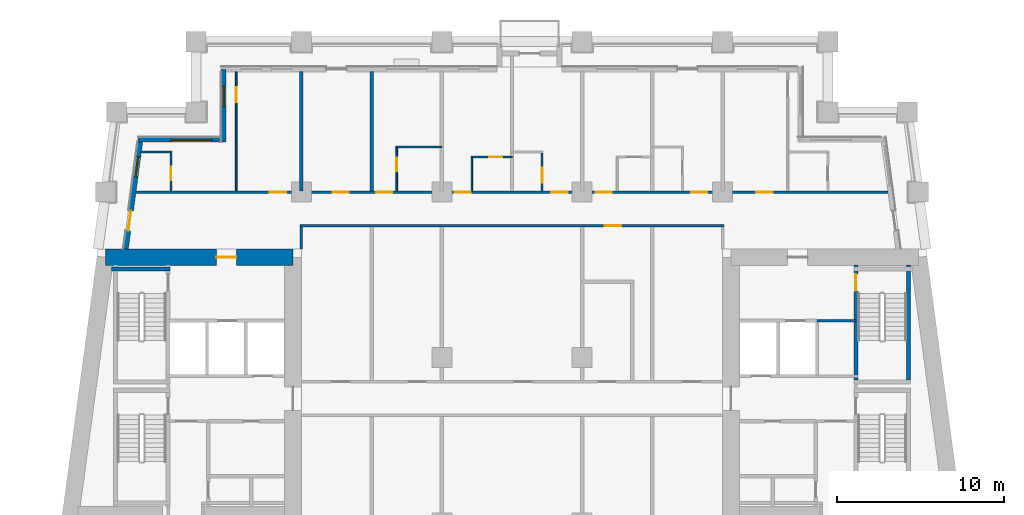
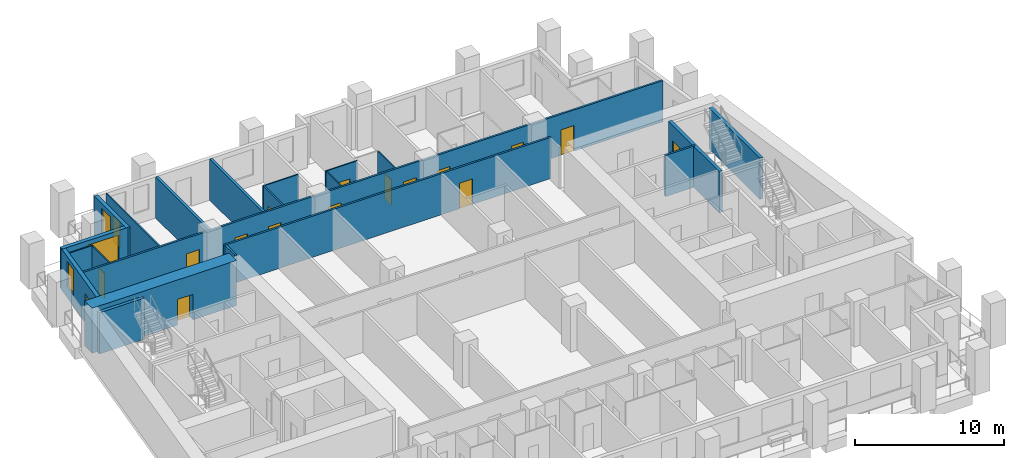
# One storey, part 7 of 14: 21 walls, 17 doors, 3 windows, 20 openings.
"""IFC4 building model written with IfcOpenShell, lengths in metres."""

import ifcopenshell
import ifcopenshell.guid

model = None  # the IFC model being written
_history = None  # IfcOwnerHistory: only IFC2X3 demands one
_inside = {}  # id of a spatial element -> (the spatial element, [elements in it])
_under = {}  # id of a project, library or spatial element -> (it, [spatial elements below it])
_declared = {}  # id of a project -> (the project, [libraries it declares])
_typed = {}  # id of a type object -> (the type object, [elements of that type])
_made_of = {}  # id of a material, layer set ... -> (it, [elements and type objects made of it])


def new_model(schema):
    """Start an empty IFC model of exactly this schema.

    Asked for "IFC4X3", IfcOpenShell would pick the latest addendum, in which some entities
    have other attributes; the version numbers below select the first issue.
    IFC2X3 requires an IfcOwnerHistory on every rooted entity: one is made here for all.
    """
    global model, _history
    if schema == "IFC4X3":
        model = ifcopenshell.file(schema_version=(4, 3, 0, 0))
    else:
        model = ifcopenshell.file(schema=schema)
    _inside.clear()
    _under.clear()
    _declared.clear()
    _typed.clear()
    _made_of.clear()
    _history = None
    if model.schema == "IFC2X3":
        org = make("IfcOrganization", Name="unknown")
        user = make(
            "IfcPersonAndOrganization",
            ThePerson=make("IfcPerson", FamilyName="unknown"),
            TheOrganization=org,
        )
        app = make(
            "IfcApplication",
            ApplicationDeveloper=org,
            Version="unknown",
            ApplicationFullName="unknown",
            ApplicationIdentifier="unknown",
        )
        _history = make(
            "IfcOwnerHistory",
            OwningUser=user,
            OwningApplication=app,
            ChangeAction="ADDED",
            CreationDate=0,
        )
    return model


def make(cls, **values):
    """One entity of the class cls with the attributes given. An attribute that is None is left unset."""
    return model.create_entity(
        cls, **{name: value for name, value in values.items() if value is not None}
    )


def rooted(cls, **values):
    """An entity with a GlobalId (a new one), such as an element, a storey or a relation."""
    return make(cls, GlobalId=ifcopenshell.guid.new(), OwnerHistory=_history, **values)


def si_unit(unit_type, name, prefix=None):
    """IfcSIUnit, for example si_unit("LENGTHUNIT", "METRE", prefix="MILLI")."""
    return make("IfcSIUnit", UnitType=unit_type, Prefix=prefix, Name=name)


def assignment(units):
    """IfcUnitAssignment: the units of a project."""
    return None if units is None else make("IfcUnitAssignment", Units=units)


def point(xyz):
    """IfcCartesianPoint."""
    return None if xyz is None else make("IfcCartesianPoint", Coordinates=xyz)


def direction(xyz):
    """IfcDirection."""
    return None if xyz is None else make("IfcDirection", DirectionRatios=xyz)


def frame(location, z_axis=None, x_axis=None):
    """IfcAxis2Placement3D, a coordinate frame: its origin and axes. An axis left out is left unset."""
    return make(
        "IfcAxis2Placement3D",
        Location=point(location),
        Axis=direction(z_axis),
        RefDirection=direction(x_axis),
    )


def frame_2d(location, x_axis=None):
    """IfcAxis2Placement2D, a coordinate frame in the plane: its origin and x axis."""
    return make(
        "IfcAxis2Placement2D", Location=point(location), RefDirection=direction(x_axis)
    )


def origin():
    """The frame at (0, 0, 0) with its axes left unset."""
    return frame((0.0, 0.0, 0.0))


def place(relative_to, where):
    """IfcLocalPlacement: puts the frame where relative to a parent placement (None: the world)."""
    return make(
        "IfcLocalPlacement", PlacementRelTo=relative_to, RelativePlacement=where
    )


def context(
    kind, dimensions, precision=None, world=None, true_north=None, identifier=None
):
    """IfcGeometricRepresentationContext, for example the 3D "Model" context."""
    return make(
        "IfcGeometricRepresentationContext",
        ContextIdentifier=identifier,
        ContextType=kind,
        CoordinateSpaceDimension=dimensions,
        Precision=precision,
        WorldCoordinateSystem=world,
        TrueNorth=true_north,
    )


def subcontext(parent, identifier, kind, view, scale=None):
    """IfcGeometricRepresentationSubContext, for example "Body" below "Model"."""
    return make(
        "IfcGeometricRepresentationSubContext",
        ContextIdentifier=identifier,
        ContextType=kind,
        ParentContext=parent,
        TargetScale=scale,
        TargetView=view,
    )


def project(units=None, contexts=None):
    """IfcProject with its units and contexts."""
    return rooted(
        "IfcProject",
        Name="project",
        RepresentationContexts=contexts,
        UnitsInContext=assignment(units),
    )


def spatial(cls, under=None, at=None, **own):
    """A site, building, storey or space (cls), placed at a placement, below another one or the project."""
    s = rooted(cls, ObjectPlacement=at, **own)
    if under is not None:
        _under.setdefault(under.id(), (under, []))[1].append(s)
    return s


def profile(cls, at=None, kind="AREA", **sizes):
    """A parametric profile (cls). Its sizes go by their IFC names, for example OverallWidth=200.0."""
    return make(cls, ProfileType=kind, Position=at, **sizes)


def rectangle(**sizes):
    """IfcRectangleProfileDef."""
    return profile("IfcRectangleProfileDef", **sizes)


def extrude(swept, where, along, depth):
    """IfcExtrudedAreaSolid: the profile swept, set in the frame where, extruded along a direction by depth."""
    return make(
        "IfcExtrudedAreaSolid",
        SweptArea=swept,
        Position=where,
        ExtrudedDirection=direction(along),
        Depth=depth,
    )


def shape(context_of_items, identifier, shape_type, items):
    """IfcShapeRepresentation: the items that make up one representation, for example the "Body"."""
    return make(
        "IfcShapeRepresentation",
        ContextOfItems=context_of_items,
        RepresentationIdentifier=identifier,
        RepresentationType=shape_type,
        Items=items,
    )


def material(Name=None, Category=None):
    """IfcMaterial."""
    return make("IfcMaterial", Name=Name, Category=Category)


def layer(
    of_material, thickness, ventilated=None, Name=None, Category=None, Priority=None
):
    """IfcMaterialLayer: one layer of a wall or slab, of a material (None: an air gap)."""
    return make(
        "IfcMaterialLayer",
        Material=of_material,
        LayerThickness=thickness,
        IsVentilated=ventilated,
        Name=Name,
        Category=Category,
        Priority=Priority,
    )


def layer_set(layers, Name=None):
    """IfcMaterialLayerSet."""
    return make("IfcMaterialLayerSet", MaterialLayers=layers, LayerSetName=Name)


def made_of(thing, what):
    """Note that an element or type object is made of a material, layer set ...; save() writes the relation."""
    if what is not None:
        _made_of.setdefault(what.id(), (what, []))[1].append(thing)
    return thing


def type_object(cls, material=None, **own):
    """A type object (cls), such as IfcWallType, which elements share."""
    return made_of(rooted(cls, **own), material)


def element(
    cls,
    number,
    at=None,
    inside=None,
    cuts=None,
    type_object=None,
    material=None,
    context=None,
    identifier="Body",
    shape_type=None,
    held_by="IfcProductDefinitionShape",
    body=None,
    shapes=None,
    **own,
):
    """One element of the class cls, such as IfcWall. Its Tag is "e" and its number.

    at: its placement. inside: the storey or other place that contains it. cuts: it is an
    opening in that element (IfcRelVoidsElement). A single representation is given by context,
    identifier, shape_type and body (its items); several are given by shapes. held_by: the class
    of the entity that holds the representations. save() writes the other relations.
    """
    e = rooted(cls, Tag="e%d" % number, ObjectPlacement=at, **own)
    if body is not None:
        shapes = [shape(context, identifier, shape_type, body)]
    if shapes is not None:
        e.Representation = make(held_by, Representations=shapes)
    if inside is not None:
        _inside.setdefault(inside.id(), (inside, []))[1].append(e)
    if cuts is not None:
        rooted(
            "IfcRelVoidsElement", RelatingBuildingElement=cuts, RelatedOpeningElement=e
        )
    if type_object is not None:
        _typed.setdefault(type_object.id(), (type_object, []))[1].append(e)
    return made_of(e, material)


def fill(opening, filler):
    """IfcRelFillsElement: the door or window that sits in an opening."""
    return rooted(
        "IfcRelFillsElement",
        RelatingOpeningElement=opening,
        RelatedBuildingElement=filler,
    )


def aggregate(whole, parts):
    """IfcRelAggregates: a whole, such as a stair, and the parts it consists of."""
    return rooted("IfcRelAggregates", RelatingObject=whole, RelatedObjects=parts)


def save(model, path):
    """Write the relations noted so far, then the file.

    IfcRelAggregates (storeys below a building ...), IfcRelContainedInSpatialStructure (elements
    in a storey), IfcRelDefinesByType, IfcRelAssociatesMaterial and IfcRelDeclares: one each for
    every whole, place, type object, material and project.
    """
    for whole, parts in _under.values():
        aggregate(whole, parts)
    for where, things in _inside.values():
        rooted(
            "IfcRelContainedInSpatialStructure",
            RelatedElements=things,
            RelatingStructure=where,
        )
    for kind, things in _typed.values():
        rooted("IfcRelDefinesByType", RelatedObjects=things, RelatingType=kind)
    for what, things in _made_of.values():
        rooted("IfcRelAssociatesMaterial", RelatedObjects=things, RelatingMaterial=what)
    for by, libraries in _declared.values():
        rooted("IfcRelDeclares", RelatingContext=by, RelatedDefinitions=libraries)
    model.write(path)


model = new_model("IFC4")

# Units and contexts
model_context = context("Model", 3, precision=1e-05, world=origin(), true_north=direction((0.0, 1.0)))
body_context = subcontext(model_context, "Body", "Model", "MODEL_VIEW")
ifc_project = project(units=[si_unit("LENGTHUNIT", "METRE"), si_unit("AREAUNIT", "SQUARE_METRE"), si_unit("VOLUMEUNIT", "CUBIC_METRE"), si_unit("PLANEANGLEUNIT", "RADIAN"), si_unit("MASSUNIT", "GRAM", prefix="KILO")], contexts=[model_context])

# Site, building, storey
site_placement = place(None, origin())
site = spatial("IfcSite", under=ifc_project, at=site_placement, CompositionType="ELEMENT")
building_placement = place(site_placement, origin())
building = spatial("IfcBuilding", under=site, at=building_placement, Name="Candeia Pilgrim Tower and Theatre", CompositionType="ELEMENT")
storey_placement = place(building_placement, frame((0.0, 0.0, 116.89990234375)))
storey = spatial("IfcBuildingStorey", under=building, at=storey_placement, Name="L27", CompositionType="ELEMENT", Elevation=116.89990234375)

# Wall, opening, door
ifc_material_1 = material(Name="Concrete C70/85", Category="concrete")
ifc_layer_1 = layer(ifc_material_1, 1.0)
ifc_layer_set_1 = layer_set([ifc_layer_1], Name="Core wall 1000 C70/85")
wall_type_1 = type_object("IfcWallType", Name="Core wall 1000 C70/85", PredefinedType="SHEAR", material=ifc_layer_set_1)
wall_1_placement = place(storey_placement, frame((89.06787109375, 131.89990234375, 0.0), z_axis=(0.0, 0.0, 1.0), x_axis=(1.0, 0.0, 0.0)))
wall_1 = element("IfcWall", 1, at=wall_1_placement, inside=storey, type_object=wall_type_1, Name="Core wall W1", PredefinedType="SHEAR", context=body_context, shape_type="SweptSolid", body=[
    extrude(rectangle(XDim=11.232177734375, YDim=1.0, at=frame_2d((5.6162109375, 0.0))), origin(), (0.0, 0.0, 1.0), 3.7001953125),
])
opening_1_placement = place(wall_1_placement, frame((6.6455078125, 0.0, 0.0)))
opening_1 = element("IfcOpeningElement", 2, at=opening_1_placement, cuts=wall_1, Name="Opening L27-D067", PredefinedType="OPENING", context=body_context, shape_type="SweptSolid", body=[
    extrude(rectangle(XDim=1.199951171875, YDim=2.10009765625, at=frame_2d((0.60009765625, 1.050048828125))), frame((0.0, 0.510009765625, 0.0), z_axis=(0.0, -1.0, 0.0), x_axis=(1.0, 0.0, 0.0)), (0.0, 0.0, 1.0), 1.02001953125),
])
ifc_material_2 = material(Name="Steel fire door set", Category="steel")
door_type_1 = type_object("IfcDoorType", Name="D-1200-FD60", OperationType="NOTDEFINED", PredefinedType="DOOR", material=ifc_material_2)
door_1_placement = place(opening_1_placement, origin())
door_1 = element("IfcDoor", 3, at=door_1_placement, inside=storey, type_object=door_type_1, Name="Door L27-D067", OperationType="SINGLE_SWING_RIGHT", OverallHeight=2.10009765625, OverallWidth=1.199951171875, PredefinedType="DOOR", context=body_context, shape_type="SweptSolid", body=[
    extrude(rectangle(XDim=1.199951171875, YDim=2.10009765625, at=frame_2d((0.60009765625, 1.050048828125))), frame((0.0, 0.02490234375, 0.0), z_axis=(0.0, -1.0, 0.0), x_axis=(1.0, 0.0, 0.0)), (0.0, 0.0, 1.0), 0.050048828125),
])
fill(opening_1, door_1)

# Wall, opening, window
ifc_material_3 = material(Name="Ceramic block masonry", Category="masonry")
ifc_layer_2 = layer(ifc_material_3, 0.300048828125)
ifc_layer_set_2 = layer_set([ifc_layer_2], Name="EW1 glazing-line wall 300")
wall_type_2 = type_object("IfcWallType", Name="EW1 glazing-line wall 300", PredefinedType="SOLIDWALL", material=ifc_layer_set_2)
wall_2_placement = place(storey_placement, frame((96.14990234375, 143.14990234375, 0.0), z_axis=(0.0, 0.0, 1.0), x_axis=(0.0, -1.0, 0.0)))
wall_2 = element("IfcWall", 4, at=wall_2_placement, inside=storey, type_object=wall_type_2, Name="External wall L27-7.0", PredefinedType="SOLIDWALL", context=body_context, shape_type="SweptSolid", body=[
    extrude(rectangle(XDim=4.349853515625, YDim=0.300048828125, at=frame_2d((2.1748046875, 0.0))), origin(), (0.0, 0.0, 1.0), 3.380126953125),
])
opening_2_placement = place(wall_2_placement, frame((1.02490234375, 0.0, 0.89990234375)))
opening_2 = element("IfcOpeningElement", 5, at=opening_2_placement, cuts=wall_2, Name="Opening W-B", PredefinedType="OPENING", context=body_context, shape_type="SweptSolid", body=[
    extrude(rectangle(XDim=1.199951171875, YDim=2.10009765625, at=frame_2d((0.60009765625, 1.050048828125))), frame((0.0, 0.16015625, 0.0), z_axis=(0.0, -1.0, 0.0), x_axis=(1.0, 0.0, 0.0)), (0.0, 0.0, 1.0), 0.320068359375),
])
ifc_material_4 = material(Name="Aluminium framed double glazing", Category="aluminium")
window_type_1 = type_object("IfcWindowType", Name="W-B window 1200x2100", PartitioningType="SINGLE_PANEL", PredefinedType="WINDOW", material=ifc_material_4)
window_1_placement = place(opening_2_placement, origin())
window_1 = element("IfcWindow", 6, at=window_1_placement, inside=storey, type_object=window_type_1, Name="Window W-B L27", OverallHeight=2.10009765625, OverallWidth=1.199951171875, PartitioningType="SINGLE_PANEL", PredefinedType="WINDOW", context=body_context, shape_type="SweptSolid", body=[
    extrude(rectangle(XDim=1.199951171875, YDim=2.10009765625, at=frame_2d((0.60009765625, 1.050048828125))), frame((0.0, 0.030029296875, 0.0), z_axis=(0.0, -1.0, 0.0), x_axis=(1.0, 0.0, 0.0)), (0.0, 0.0, 1.0), 0.06005859375),
])
fill(opening_2, window_1)

wall_3_placement = place(storey_placement, frame((96.14990234375, 138.949951171875, 0.0), z_axis=(0.0, 0.0, 1.0), x_axis=(-1.0, 0.0, 0.0)))
wall_3 = element("IfcWall", 7, at=wall_3_placement, inside=storey, type_object=wall_type_2, Name="External wall L27-8.0", PredefinedType="SOLIDWALL", context=body_context, shape_type="SweptSolid", body=[
    extrude(rectangle(XDim=5.103759765625, YDim=0.300048828125, at=frame_2d((2.5517578125, 0.0))), origin(), (0.0, 0.0, 1.0), 3.380126953125),
])
opening_3_placement = place(wall_3_placement, frame((0.72509765625, 0.0, 0.89990234375)))
opening_3 = element("IfcOpeningElement", 8, at=opening_3_placement, cuts=wall_3, Name="Opening W-A", PredefinedType="OPENING", context=body_context, shape_type="SweptSolid", body=[
    extrude(rectangle(XDim=2.39990234375, YDim=2.10009765625, at=frame_2d((1.199951171875, 1.050048828125))), frame((0.0, 0.16015625, 0.0), z_axis=(0.0, -1.0, 0.0), x_axis=(1.0, 0.0, 0.0)), (0.0, 0.0, 1.0), 0.320068359375),
])
window_type_2 = type_object("IfcWindowType", Name="W-A window 2400x2100", PartitioningType="DOUBLE_PANEL_VERTICAL", PredefinedType="WINDOW", material=ifc_material_4)
window_2_placement = place(opening_3_placement, origin())
window_2 = element("IfcWindow", 9, at=window_2_placement, inside=storey, type_object=window_type_2, Name="Window W-A L27", OverallHeight=2.10009765625, OverallWidth=2.39990234375, PartitioningType="SINGLE_PANEL", PredefinedType="WINDOW", context=body_context, shape_type="SweptSolid", body=[
    extrude(rectangle(XDim=2.39990234375, YDim=2.10009765625, at=frame_2d((1.199951171875, 1.050048828125))), frame((0.0, 0.030029296875, 0.0), z_axis=(0.0, -1.0, 0.0), x_axis=(1.0, 0.0, 0.0)), (0.0, 0.0, 1.0), 0.06005859375),
])
fill(opening_3, window_2)

# Wall, openings, door, window
wall_4_placement = place(storey_placement, frame((91.177490234375, 138.949951171875, 0.0), z_axis=(0.0, 0.0, 1.0), x_axis=(-0.133426664613, -0.991058689065, 0.0)))
wall_4 = element("IfcWall", 10, at=wall_4_placement, inside=storey, type_object=wall_type_2, Name="External wall L27-9.0", PredefinedType="SOLIDWALL", context=body_context, shape_type="SweptSolid", body=[
    extrude(rectangle(XDim=6.609130859375, YDim=0.300048828125, at=frame_2d((3.3046875, 0.0))), origin(), (0.0, 0.0, 1.0), 3.380126953125),
])
opening_4_placement = place(wall_4_placement, frame((1.039306640625, 0.0, 0.89990234375)))
opening_4 = element("IfcOpeningElement", 11, at=opening_4_placement, cuts=wall_4, Name="Opening W-B", PredefinedType="OPENING", context=body_context, shape_type="SweptSolid", body=[
    extrude(rectangle(XDim=1.199951171875, YDim=2.10009765625, at=frame_2d((0.60009765625, 1.050048828125))), frame((0.0, 0.16015625, 0.0), z_axis=(0.0, -1.0, 0.0), x_axis=(1.0, 0.0, 0.0)), (0.0, 0.0, 1.0), 0.320068359375),
])
opening_5_placement = place(wall_4_placement, frame((4.293701171875, 0.0, 0.0)))
opening_5 = element("IfcOpeningElement", 12, at=opening_5_placement, cuts=wall_4, Name="Opening L27-ED278", PredefinedType="OPENING", context=body_context, shape_type="SweptSolid", body=[
    extrude(rectangle(XDim=1.199951171875, YDim=2.39990234375, at=frame_2d((0.60009765625, 1.199951171875))), frame((0.0, 0.16015625, 0.0), z_axis=(0.0, -1.0, 0.0), x_axis=(1.0, 0.0, 0.0)), (0.0, 0.0, 1.0), 0.320068359375),
])
ifc_material_5 = material(Name="Aluminium framed glazed door", Category="aluminium")
door_type_2 = type_object("IfcDoorType", Name="Loggia door 1200x2400", OperationType="DOUBLE_DOOR_SINGLE_SWING", PredefinedType="DOOR", material=ifc_material_5)
door_2_placement = place(opening_5_placement, origin())
door_2 = element("IfcDoor", 13, at=door_2_placement, inside=storey, type_object=door_type_2, Name="Loggia door L27-ED278", OperationType="DOUBLE_DOOR_SINGLE_SWING", OverallHeight=2.39990234375, OverallWidth=1.199951171875, PredefinedType="DOOR", context=body_context, shape_type="SweptSolid", body=[
    extrude(rectangle(XDim=1.199951171875, YDim=2.39990234375, at=frame_2d((0.60009765625, 1.199951171875))), frame((0.0, 0.02490234375, 0.0), z_axis=(0.0, -1.0, 0.0), x_axis=(1.0, 0.0, 0.0)), (0.0, 0.0, 1.0), 0.050048828125),
])
fill(opening_5, door_2)
window_3_placement = place(opening_4_placement, origin())
window_3 = element("IfcWindow", 14, at=window_3_placement, inside=storey, type_object=window_type_1, Name="Window W-B L27", OverallHeight=2.10009765625, OverallWidth=1.199951171875, PartitioningType="SINGLE_PANEL", PredefinedType="WINDOW", context=body_context, shape_type="SweptSolid", body=[
    extrude(rectangle(XDim=1.199951171875, YDim=2.10009765625, at=frame_2d((0.60009765625, 1.050048828125))), frame((0.0, 0.030029296875, 0.0), z_axis=(0.0, -1.0, 0.0), x_axis=(1.0, 0.0, 0.0)), (0.0, 0.0, 1.0), 0.06005859375),
])
fill(opening_4, window_3)

# Wall, opening, door
ifc_material_6 = material(Name="Gypsum board partition on steel studs", Category="steel")
ifc_layer_3 = layer(ifc_material_6, 0.10009765625)
ifc_layer_set_3 = layer_set([ifc_layer_3], Name="PW-100 room partition")
wall_type_3 = type_object("IfcWallType", Name="PW-100 room partition", PredefinedType="PARTITIONING", material=ifc_layer_set_3)
wall_5_placement = place(storey_placement, frame((110.949951171875, 137.89990234375, 0.0), z_axis=(0.0, 0.0, 1.0), x_axis=(1.0, 0.0, 0.0)))
wall_5 = element("IfcWall", 15, at=wall_5_placement, inside=storey, type_object=wall_type_3, Name="Room partition L27-047", PredefinedType="PARTITIONING", context=body_context, shape_type="SweptSolid", body=[
    extrude(rectangle(XDim=2.449951171875, YDim=0.10009765625, at=frame_2d((1.22509765625, 0.0))), origin(), (0.0, 0.0, 1.0), 3.380126953125),
])
opening_6_placement = place(wall_5_placement, frame((1.074951171875, 0.0, 0.0)))
opening_6 = element("IfcOpeningElement", 16, at=opening_6_placement, cuts=wall_5, Name="Opening L27-D045", PredefinedType="OPENING", context=body_context, shape_type="SweptSolid", body=[
    extrude(rectangle(XDim=0.800048828125, YDim=2.10009765625, at=frame_2d((0.39990234375, 1.050048828125))), frame((0.0, 0.06005859375, 0.0), z_axis=(0.0, -1.0, 0.0), x_axis=(1.0, 0.0, 0.0)), (0.0, 0.0, 1.0), 0.1201171875),
])
ifc_material_7 = material(Name="Timber door leaf", Category="wood")
door_type_3 = type_object("IfcDoorType", Name="D-800", OperationType="NOTDEFINED", PredefinedType="DOOR", material=ifc_material_7)
door_3_placement = place(opening_6_placement, origin())
door_3 = element("IfcDoor", 17, at=door_3_placement, inside=storey, type_object=door_type_3, Name="Door L27-D045", OperationType="SINGLE_SWING_RIGHT", OverallHeight=2.10009765625, OverallWidth=0.800048828125, PredefinedType="DOOR", context=body_context, shape_type="SweptSolid", body=[
    extrude(rectangle(XDim=0.800048828125, YDim=2.10009765625, at=frame_2d((0.39990234375, 1.050048828125))), frame((0.0, 0.02490234375, 0.0), z_axis=(0.0, -1.0, 0.0), x_axis=(1.0, 0.0, 0.0)), (0.0, 0.0, 1.0), 0.050048828125),
])
fill(opening_6, door_3)

# Walls
wall_6_placement = place(storey_placement, frame((91.2177734375, 138.199951171875, 0.0), z_axis=(0.0, 0.0, 1.0), x_axis=(1.0, 0.0, 0.0)))
element("IfcWall", 18, at=wall_6_placement, inside=storey, type_object=wall_type_3, Name="Room partition L27-049", PredefinedType="PARTITIONING", context=body_context, shape_type="SweptSolid", body=[
    extrude(rectangle(XDim=1.832275390625, YDim=0.10009765625, at=frame_2d((0.916015625, 0.0))), origin(), (0.0, 0.0, 1.0), 3.380126953125),
])
wall_7_placement = place(storey_placement, frame((106.449951171875, 138.5, 0.0), z_axis=(0.0, 0.0, 1.0), x_axis=(1.0, 0.0, 0.0)))
element("IfcWall", 19, at=wall_7_placement, inside=storey, type_object=wall_type_3, Name="Room partition L27-052", PredefinedType="PARTITIONING", context=body_context, shape_type="SweptSolid", body=[
    extrude(rectangle(XDim=2.75, YDim=0.10009765625, at=frame_2d((1.375, 0.0))), origin(), (0.0, 0.0, 1.0), 3.380126953125),
])

# Wall, opening, door
wall_8_placement = place(storey_placement, frame((93.0, 135.875, 0.0), z_axis=(0.0, 0.0, 1.0), x_axis=(0.0, 1.0, 0.0)))
wall_8 = element("IfcWall", 20, at=wall_8_placement, inside=storey, type_object=wall_type_3, Name="Room partition L27-065", PredefinedType="PARTITIONING", context=body_context, shape_type="SweptSolid", body=[
    extrude(rectangle(XDim=2.27490234375, YDim=0.10009765625, at=frame_2d((1.137451171875, 0.0))), origin(), (0.0, 0.0, 1.0), 3.380126953125),
])
opening_7_placement = place(wall_8_placement, frame((0.635009765625, 0.0, 0.0)))
opening_7 = element("IfcOpeningElement", 21, at=opening_7_placement, cuts=wall_8, Name="Opening L27-D040", PredefinedType="OPENING", context=body_context, shape_type="SweptSolid", body=[
    extrude(rectangle(XDim=0.800048828125, YDim=2.10009765625, at=frame_2d((0.39990234375, 1.050048828125))), frame((0.0, 0.06005859375, 0.0), z_axis=(0.0, -1.0, 0.0), x_axis=(1.0, 0.0, 0.0)), (0.0, 0.0, 1.0), 0.1201171875),
])
door_4_placement = place(opening_7_placement, origin())
door_4 = element("IfcDoor", 22, at=door_4_placement, inside=storey, type_object=door_type_3, Name="Door L27-D040", OperationType="SINGLE_SWING_LEFT", OverallHeight=2.10009765625, OverallWidth=0.800048828125, PredefinedType="DOOR", context=body_context, shape_type="SweptSolid", body=[
    extrude(rectangle(XDim=0.800048828125, YDim=2.10009765625, at=frame_2d((0.39990234375, 1.050048828125))), frame((0.0, 0.02490234375, 0.0), z_axis=(0.0, -1.0, 0.0), x_axis=(1.0, 0.0, 0.0)), (0.0, 0.0, 1.0), 0.050048828125),
])
fill(opening_7, door_4)

wall_9_placement = place(storey_placement, frame((96.89990234375, 135.875, 0.0), z_axis=(0.0, 0.0, 1.0), x_axis=(0.0, 1.0, 0.0)))
wall_9 = element("IfcWall", 23, at=wall_9_placement, inside=storey, type_object=wall_type_3, Name="Room partition L27-072", PredefinedType="PARTITIONING", context=body_context, shape_type="SweptSolid", body=[
    extrude(rectangle(XDim=7.135009765625, YDim=0.10009765625, at=frame_2d((3.5673828125, 0.0))), origin(), (0.0, 0.0, 1.0), 3.380126953125),
])
opening_8_placement = place(wall_9_placement, frame((5.2900390625, 0.0, 0.0)))
opening_8 = element("IfcOpeningElement", 24, at=opening_8_placement, cuts=wall_9, Name="Opening L27-D039", PredefinedType="OPENING", context=body_context, shape_type="SweptSolid", body=[
    extrude(rectangle(XDim=0.89990234375, YDim=2.10009765625, at=frame_2d((0.449951171875, 1.050048828125))), frame((0.0, 0.06005859375, 0.0), z_axis=(0.0, -1.0, 0.0), x_axis=(1.0, 0.0, 0.0)), (0.0, 0.0, 1.0), 0.1201171875),
])
door_type_4 = type_object("IfcDoorType", Name="D-900", OperationType="NOTDEFINED", PredefinedType="DOOR", material=ifc_material_7)
door_5_placement = place(opening_8_placement, origin())
door_5 = element("IfcDoor", 25, at=door_5_placement, inside=storey, type_object=door_type_4, Name="Door L27-D039", OperationType="SINGLE_SWING_RIGHT", OverallHeight=2.10009765625, OverallWidth=0.89990234375, PredefinedType="DOOR", context=body_context, shape_type="SweptSolid", body=[
    extrude(rectangle(XDim=0.89990234375, YDim=2.10009765625, at=frame_2d((0.449951171875, 1.050048828125))), frame((0.0, 0.02490234375, 0.0), z_axis=(0.0, -1.0, 0.0), x_axis=(1.0, 0.0, 0.0)), (0.0, 0.0, 1.0), 0.050048828125),
])
fill(opening_8, door_5)

wall_10_placement = place(storey_placement, frame((106.5, 135.875, 0.0), z_axis=(0.0, 0.0, 1.0), x_axis=(0.0, 1.0, 0.0)))
wall_10 = element("IfcWall", 26, at=wall_10_placement, inside=storey, type_object=wall_type_3, Name="Room partition L27-087", PredefinedType="PARTITIONING", context=body_context, shape_type="SweptSolid", body=[
    extrude(rectangle(XDim=2.574951171875, YDim=0.10009765625, at=frame_2d((1.28759765625, 0.0))), origin(), (0.0, 0.0, 1.0), 3.380126953125),
])
opening_9_placement = place(wall_10_placement, frame((1.175048828125, 0.0, 0.0)))
opening_9 = element("IfcOpeningElement", 27, at=opening_9_placement, cuts=wall_10, Name="Opening L27-D043", PredefinedType="OPENING", context=body_context, shape_type="SweptSolid", body=[
    extrude(rectangle(XDim=0.800048828125, YDim=2.10009765625, at=frame_2d((0.39990234375, 1.050048828125))), frame((0.0, 0.06005859375, 0.0), z_axis=(0.0, -1.0, 0.0), x_axis=(1.0, 0.0, 0.0)), (0.0, 0.0, 1.0), 0.1201171875),
])
door_6_placement = place(opening_9_placement, origin())
door_6 = element("IfcDoor", 28, at=door_6_placement, inside=storey, type_object=door_type_3, Name="Door L27-D043", OperationType="SINGLE_SWING_RIGHT", OverallHeight=2.10009765625, OverallWidth=0.800048828125, PredefinedType="DOOR", context=body_context, shape_type="SweptSolid", body=[
    extrude(rectangle(XDim=0.800048828125, YDim=2.10009765625, at=frame_2d((0.39990234375, 1.050048828125))), frame((0.0, 0.02490234375, 0.0), z_axis=(0.0, -1.0, 0.0), x_axis=(1.0, 0.0, 0.0)), (0.0, 0.0, 1.0), 0.050048828125),
])
fill(opening_9, door_6)

# Wall
wall_11_placement = place(storey_placement, frame((111.0, 135.875, 0.0), z_axis=(0.0, 0.0, 1.0), x_axis=(0.0, 1.0, 0.0)))
element("IfcWall", 29, at=wall_11_placement, inside=storey, type_object=wall_type_3, Name="Room partition L27-092", PredefinedType="PARTITIONING", context=body_context, shape_type="SweptSolid", body=[
    extrude(rectangle(XDim=1.97509765625, YDim=0.10009765625, at=frame_2d((0.987548828125, 0.0))), origin(), (0.0, 0.0, 1.0), 3.380126953125),
])

# Wall, opening, door
wall_12_placement = place(storey_placement, frame((115.199951171875, 135.875, 0.0), z_axis=(0.0, 0.0, 1.0), x_axis=(0.0, 1.0, 0.0)))
wall_12 = element("IfcWall", 30, at=wall_12_placement, inside=storey, type_object=wall_type_3, Name="Room partition L27-097", PredefinedType="PARTITIONING", context=body_context, shape_type="SweptSolid", body=[
    extrude(rectangle(XDim=2.27490234375, YDim=0.10009765625, at=frame_2d((1.137451171875, 0.0))), origin(), (0.0, 0.0, 1.0), 3.380126953125),
])
opening_10_placement = place(wall_12_placement, frame((0.47509765625, 0.0, 0.0)))
opening_10 = element("IfcOpeningElement", 31, at=opening_10_placement, cuts=wall_12, Name="Opening L27-D047", PredefinedType="OPENING", context=body_context, shape_type="SweptSolid", body=[
    extrude(rectangle(XDim=0.89990234375, YDim=2.10009765625, at=frame_2d((0.449951171875, 1.050048828125))), frame((0.0, 0.06005859375, 0.0), z_axis=(0.0, -1.0, 0.0), x_axis=(1.0, 0.0, 0.0)), (0.0, 0.0, 1.0), 0.1201171875),
])
door_7_placement = place(opening_10_placement, origin())
door_7 = element("IfcDoor", 32, at=door_7_placement, inside=storey, type_object=door_type_4, Name="Door L27-D047", OperationType="SINGLE_SWING_RIGHT", OverallHeight=2.10009765625, OverallWidth=0.89990234375, PredefinedType="DOOR", context=body_context, shape_type="SweptSolid", body=[
    extrude(rectangle(XDim=0.89990234375, YDim=2.10009765625, at=frame_2d((0.449951171875, 1.050048828125))), frame((0.0, 0.02490234375, 0.0), z_axis=(0.0, -1.0, 0.0), x_axis=(1.0, 0.0, 0.0)), (0.0, 0.0, 1.0), 0.050048828125),
])
fill(opening_10, door_7)

# Wall
ifc_layer_4 = layer(ifc_material_6, 0.14990234375)
ifc_layer_set_4 = layer_set([ifc_layer_4], Name="PW-150 lobby wall")
wall_type_4 = type_object("IfcWallType", Name="PW-150 lobby wall", PredefinedType="PARTITIONING", material=ifc_layer_set_4)
wall_13_placement = place(storey_placement, frame((131.648681640625, 128.10009765625, 0.0), z_axis=(0.0, 0.0, 1.0), x_axis=(1.0, 0.0, 0.0)))
element("IfcWall", 33, at=wall_13_placement, inside=storey, type_object=wall_type_4, Name="Lobby wall L27-041", PredefinedType="PARTITIONING", context=body_context, shape_type="SweptSolid", body=[
    extrude(rectangle(XDim=2.32421875, YDim=0.14990234375, at=frame_2d((1.162109375, 0.0))), origin(), (0.0, 0.0, 1.0), 3.380126953125),
])

# Wall, opening, door
ifc_layer_5 = layer(ifc_material_6, 0.14990234375)
ifc_layer_set_5 = layer_set([ifc_layer_5], Name="PW-150 unit wall")
wall_type_5 = type_object("IfcWallType", Name="PW-150 unit wall", PredefinedType="PARTITIONING", material=ifc_layer_set_5)
wall_14_placement = place(storey_placement, frame((100.72509765625, 133.800048828125, 0.0), z_axis=(0.0, 0.0, 1.0), x_axis=(1.0, 0.0, 0.0)))
wall_14 = element("IfcWall", 34, at=wall_14_placement, inside=storey, type_object=wall_type_5, Name="Unit wall L27-045", PredefinedType="PARTITIONING", context=body_context, shape_type="SweptSolid", body=[
    extrude(rectangle(XDim=25.349853515625, YDim=0.14990234375, at=frame_2d((12.6748046875, 0.0))), origin(), (0.0, 0.0, 1.0), 3.380126953125),
])
opening_11_placement = place(wall_14_placement, frame((18.22509765625, 0.0, 0.0)))
opening_11 = element("IfcOpeningElement", 35, at=opening_11_placement, cuts=wall_14, Name="Opening L27-D055", PredefinedType="OPENING", context=body_context, shape_type="SweptSolid", body=[
    extrude(rectangle(XDim=1.0, YDim=2.10009765625, at=frame_2d((0.5, 1.050048828125))), frame((0.0, 0.0849609375, 0.0), z_axis=(0.0, -1.0, 0.0), x_axis=(1.0, 0.0, 0.0)), (0.0, 0.0, 1.0), 0.169921875),
])
door_type_5 = type_object("IfcDoorType", Name="D-1000-FD30S", OperationType="NOTDEFINED", PredefinedType="DOOR", material=ifc_material_2)
door_8_placement = place(opening_11_placement, origin())
door_8 = element("IfcDoor", 36, at=door_8_placement, inside=storey, type_object=door_type_5, Name="Door L27-D055", OperationType="SINGLE_SWING_RIGHT", OverallHeight=2.10009765625, OverallWidth=1.0, PredefinedType="DOOR", context=body_context, shape_type="SweptSolid", body=[
    extrude(rectangle(XDim=1.0, YDim=2.10009765625, at=frame_2d((0.5, 1.050048828125))), frame((0.0, 0.02490234375, 0.0), z_axis=(0.0, -1.0, 0.0), x_axis=(1.0, 0.0, 0.0)), (0.0, 0.0, 1.0), 0.050048828125),
])
fill(opening_11, door_8)

# Wall, openings, doors
wall_15_placement = place(storey_placement, frame((90.89453125, 135.800048828125, 0.0), z_axis=(0.0, 0.0, 1.0), x_axis=(1.0, 0.0, 0.0)))
wall_15 = element("IfcWall", 37, at=wall_15_placement, inside=storey, type_object=wall_type_5, Name="Unit wall L27-046", PredefinedType="PARTITIONING", context=body_context, shape_type="SweptSolid", body=[
    extrude(rectangle(XDim=45.010986328125, YDim=0.14990234375, at=frame_2d((22.50537109375, 0.0))), origin(), (0.0, 0.0, 1.0), 3.380126953125),
])
opening_12_placement = place(wall_15_placement, frame((8.00537109375, 0.0, 0.0)))
opening_12 = element("IfcOpeningElement", 38, at=opening_12_placement, cuts=wall_15, Name="Opening L27-D038", PredefinedType="OPENING", context=body_context, shape_type="SweptSolid", body=[
    extrude(rectangle(XDim=1.0, YDim=2.10009765625, at=frame_2d((0.5, 1.050048828125))), frame((0.0, 0.0849609375, 0.0), z_axis=(0.0, -1.0, 0.0), x_axis=(1.0, 0.0, 0.0)), (0.0, 0.0, 1.0), 0.169921875),
])
opening_13_placement = place(wall_15_placement, frame((11.785400390625, 0.0, 0.0)))
opening_13 = element("IfcOpeningElement", 39, at=opening_13_placement, cuts=wall_15, Name="Opening L27-D041", PredefinedType="OPENING", context=body_context, shape_type="SweptSolid", body=[
    extrude(rectangle(XDim=0.949951171875, YDim=2.10009765625, at=frame_2d((0.47509765625, 1.050048828125))), frame((0.0, 0.0849609375, 0.0), z_axis=(0.0, -1.0, 0.0), x_axis=(1.0, 0.0, 0.0)), (0.0, 0.0, 1.0), 0.169921875),
])
opening_14_placement = place(wall_15_placement, frame((14.38037109375, 0.0, 0.0)))
opening_14 = element("IfcOpeningElement", 40, at=opening_14_placement, cuts=wall_15, Name="Opening L27-D042", PredefinedType="OPENING", context=body_context, shape_type="SweptSolid", body=[
    extrude(rectangle(XDim=0.949951171875, YDim=2.10009765625, at=frame_2d((0.47509765625, 1.050048828125))), frame((0.0, 0.0849609375, 0.0), z_axis=(0.0, -1.0, 0.0), x_axis=(1.0, 0.0, 0.0)), (0.0, 0.0, 1.0), 0.169921875),
])
opening_15_placement = place(wall_15_placement, frame((19.075439453125, 0.0, 0.0)))
opening_15 = element("IfcOpeningElement", 41, at=opening_15_placement, cuts=wall_15, Name="Opening L27-D044", PredefinedType="OPENING", context=body_context, shape_type="SweptSolid", body=[
    extrude(rectangle(XDim=0.949951171875, YDim=2.10009765625, at=frame_2d((0.47509765625, 1.050048828125))), frame((0.0, 0.0849609375, 0.0), z_axis=(0.0, -1.0, 0.0), x_axis=(1.0, 0.0, 0.0)), (0.0, 0.0, 1.0), 0.169921875),
])
opening_16_placement = place(wall_15_placement, frame((24.85546875, 0.0, 0.0)))
opening_16 = element("IfcOpeningElement", 42, at=opening_16_placement, cuts=wall_15, Name="Opening L27-D046", PredefinedType="OPENING", context=body_context, shape_type="SweptSolid", body=[
    extrude(rectangle(XDim=1.0, YDim=2.10009765625, at=frame_2d((0.5, 1.050048828125))), frame((0.0, 0.0849609375, 0.0), z_axis=(0.0, -1.0, 0.0), x_axis=(1.0, 0.0, 0.0)), (0.0, 0.0, 1.0), 0.169921875),
])
opening_17_placement = place(wall_15_placement, frame((27.515380859375, 0.0, 0.0)))
opening_17 = element("IfcOpeningElement", 43, at=opening_17_placement, cuts=wall_15, Name="Opening L27-D048", PredefinedType="OPENING", context=body_context, shape_type="SweptSolid", body=[
    extrude(rectangle(XDim=0.949951171875, YDim=2.10009765625, at=frame_2d((0.47509765625, 1.050048828125))), frame((0.0, 0.0849609375, 0.0), z_axis=(0.0, -1.0, 0.0), x_axis=(1.0, 0.0, 0.0)), (0.0, 0.0, 1.0), 0.169921875),
])
opening_18_placement = place(wall_15_placement, frame((33.242431640625, 0.0, 0.0)))
opening_18 = element("IfcOpeningElement", 44, at=opening_18_placement, cuts=wall_15, Name="Opening L27-D050", PredefinedType="OPENING", context=body_context, shape_type="SweptSolid", body=[
    extrude(rectangle(XDim=0.949951171875, YDim=2.10009765625, at=frame_2d((0.47509765625, 1.050048828125))), frame((0.0, 0.0849609375, 0.0), z_axis=(0.0, -1.0, 0.0), x_axis=(1.0, 0.0, 0.0)), (0.0, 0.0, 1.0), 0.169921875),
])
opening_19_placement = place(wall_15_placement, frame((37.10546875, 0.0, 0.0)))
opening_19 = element("IfcOpeningElement", 45, at=opening_19_placement, cuts=wall_15, Name="Opening L27-D052", PredefinedType="OPENING", context=body_context, shape_type="SweptSolid", body=[
    extrude(rectangle(XDim=1.0, YDim=2.10009765625, at=frame_2d((0.5, 1.050048828125))), frame((0.0, 0.0849609375, 0.0), z_axis=(0.0, -1.0, 0.0), x_axis=(1.0, 0.0, 0.0)), (0.0, 0.0, 1.0), 0.169921875),
])
door_9_placement = place(opening_12_placement, origin())
door_9 = element("IfcDoor", 46, at=door_9_placement, inside=storey, type_object=door_type_5, Name="Door L27-D038", OperationType="SINGLE_SWING_LEFT", OverallHeight=2.10009765625, OverallWidth=1.0, PredefinedType="DOOR", context=body_context, shape_type="SweptSolid", body=[
    extrude(rectangle(XDim=1.0, YDim=2.10009765625, at=frame_2d((0.5, 1.050048828125))), frame((0.0, 0.02490234375, 0.0), z_axis=(0.0, -1.0, 0.0), x_axis=(1.0, 0.0, 0.0)), (0.0, 0.0, 1.0), 0.050048828125),
])
fill(opening_12, door_9)
door_10_placement = place(opening_16_placement, origin())
door_10 = element("IfcDoor", 47, at=door_10_placement, inside=storey, type_object=door_type_5, Name="Door L27-D046", OperationType="SINGLE_SWING_LEFT", OverallHeight=2.10009765625, OverallWidth=1.0, PredefinedType="DOOR", context=body_context, shape_type="SweptSolid", body=[
    extrude(rectangle(XDim=1.0, YDim=2.10009765625, at=frame_2d((0.5, 1.050048828125))), frame((0.0, 0.02490234375, 0.0), z_axis=(0.0, -1.0, 0.0), x_axis=(1.0, 0.0, 0.0)), (0.0, 0.0, 1.0), 0.050048828125),
])
fill(opening_16, door_10)
door_11_placement = place(opening_19_placement, origin())
door_11 = element("IfcDoor", 48, at=door_11_placement, inside=storey, type_object=door_type_5, Name="Door L27-D052", OperationType="SINGLE_SWING_LEFT", OverallHeight=2.10009765625, OverallWidth=1.0, PredefinedType="DOOR", context=body_context, shape_type="SweptSolid", body=[
    extrude(rectangle(XDim=1.0, YDim=2.10009765625, at=frame_2d((0.5, 1.050048828125))), frame((0.0, 0.02490234375, 0.0), z_axis=(0.0, -1.0, 0.0), x_axis=(1.0, 0.0, 0.0)), (0.0, 0.0, 1.0), 0.050048828125),
])
fill(opening_19, door_11)
door_type_6 = type_object("IfcDoorType", Name="D-950-FD30S", OperationType="NOTDEFINED", PredefinedType="DOOR", material=ifc_material_2)
door_12_placement = place(opening_13_placement, origin())
door_12 = element("IfcDoor", 49, at=door_12_placement, inside=storey, type_object=door_type_6, Name="Door L27-D041", OperationType="SINGLE_SWING_RIGHT", OverallHeight=2.10009765625, OverallWidth=0.949951171875, PredefinedType="DOOR", context=body_context, shape_type="SweptSolid", body=[
    extrude(rectangle(XDim=0.949951171875, YDim=2.10009765625, at=frame_2d((0.47509765625, 1.050048828125))), frame((0.0, 0.02490234375, 0.0), z_axis=(0.0, -1.0, 0.0), x_axis=(1.0, 0.0, 0.0)), (0.0, 0.0, 1.0), 0.050048828125),
])
fill(opening_13, door_12)
door_13_placement = place(opening_14_placement, origin())
door_13 = element("IfcDoor", 50, at=door_13_placement, inside=storey, type_object=door_type_6, Name="Door L27-D042", OperationType="SINGLE_SWING_LEFT", OverallHeight=2.10009765625, OverallWidth=0.949951171875, PredefinedType="DOOR", context=body_context, shape_type="SweptSolid", body=[
    extrude(rectangle(XDim=0.949951171875, YDim=2.10009765625, at=frame_2d((0.47509765625, 1.050048828125))), frame((0.0, 0.02490234375, 0.0), z_axis=(0.0, -1.0, 0.0), x_axis=(1.0, 0.0, 0.0)), (0.0, 0.0, 1.0), 0.050048828125),
])
fill(opening_14, door_13)
door_14_placement = place(opening_15_placement, origin())
door_14 = element("IfcDoor", 51, at=door_14_placement, inside=storey, type_object=door_type_6, Name="Door L27-D044", OperationType="SINGLE_SWING_LEFT", OverallHeight=2.10009765625, OverallWidth=0.949951171875, PredefinedType="DOOR", context=body_context, shape_type="SweptSolid", body=[
    extrude(rectangle(XDim=0.949951171875, YDim=2.10009765625, at=frame_2d((0.47509765625, 1.050048828125))), frame((0.0, 0.02490234375, 0.0), z_axis=(0.0, -1.0, 0.0), x_axis=(1.0, 0.0, 0.0)), (0.0, 0.0, 1.0), 0.050048828125),
])
fill(opening_15, door_14)
door_15_placement = place(opening_17_placement, origin())
door_15 = element("IfcDoor", 52, at=door_15_placement, inside=storey, type_object=door_type_6, Name="Door L27-D048", OperationType="SINGLE_SWING_LEFT", OverallHeight=2.10009765625, OverallWidth=0.949951171875, PredefinedType="DOOR", context=body_context, shape_type="SweptSolid", body=[
    extrude(rectangle(XDim=0.949951171875, YDim=2.10009765625, at=frame_2d((0.47509765625, 1.050048828125))), frame((0.0, 0.02490234375, 0.0), z_axis=(0.0, -1.0, 0.0), x_axis=(1.0, 0.0, 0.0)), (0.0, 0.0, 1.0), 0.050048828125),
])
fill(opening_17, door_15)
door_16_placement = place(opening_18_placement, origin())
door_16 = element("IfcDoor", 53, at=door_16_placement, inside=storey, type_object=door_type_6, Name="Door L27-D050", OperationType="SINGLE_SWING_LEFT", OverallHeight=2.10009765625, OverallWidth=0.949951171875, PredefinedType="DOOR", context=body_context, shape_type="SweptSolid", body=[
    extrude(rectangle(XDim=0.949951171875, YDim=2.10009765625, at=frame_2d((0.47509765625, 1.050048828125))), frame((0.0, 0.02490234375, 0.0), z_axis=(0.0, -1.0, 0.0), x_axis=(1.0, 0.0, 0.0)), (0.0, 0.0, 1.0), 0.050048828125),
])
fill(opening_18, door_16)

# Walls
wall_16_placement = place(storey_placement, frame((100.800048828125, 132.39990234375, 0.0), z_axis=(0.0, 0.0, 1.0), x_axis=(0.0, 1.0, 0.0)))
element("IfcWall", 54, at=wall_16_placement, inside=storey, type_object=wall_type_5, Name="Unit wall L27-080", PredefinedType="PARTITIONING", context=body_context, shape_type="SweptSolid", body=[
    extrude(rectangle(XDim=1.3251953125, YDim=0.14990234375, at=frame_2d((0.66259765625, 0.0))), origin(), (0.0, 0.0, 1.0), 3.380126953125),
])
ifc_layer_6 = layer(ifc_material_6, 0.199951171875)
ifc_layer_set_6 = layer_set([ifc_layer_6], Name="PW-200 party wall")
wall_type_6 = type_object("IfcWallType", Name="PW-200 party wall", PredefinedType="PARTITIONING", material=ifc_layer_set_6)
for number, where, z_axis, x_axis, name in (
    (55, (100.800048828125, 135.875, 0.0), (0.0, 0.0, 1.0), (0.0, 1.0, 0.0), "Party wall L27-078"),
    (56, (105.0, 135.875, 0.0), (0.0, 0.0, 1.0), (0.0, 1.0, 0.0), "Party wall L27-085"),
):
    element("IfcWall", number, at=place(storey_placement, frame(where, z_axis=z_axis, x_axis=x_axis)), inside=storey, type_object=wall_type_6, Name=name, PredefinedType="PARTITIONING", context=body_context, shape_type="SweptSolid", body=[
        extrude(rectangle(XDim=7.135009765625, YDim=0.199951171875, at=frame_2d((3.5673828125, 0.0))), origin(), (0.0, 0.0, 1.0), 3.380126953125),
    ])
ifc_material_8 = material(Name="Concrete C40/50", Category="concrete")
ifc_layer_7 = layer(ifc_material_8, 0.25)
ifc_layer_set_7 = layer_set([ifc_layer_7], Name="SW-250 stair wall")
wall_type_7 = type_object("IfcWallType", Name="SW-250 stair wall", PredefinedType="PARTITIONING", material=ifc_layer_set_7)
wall_17_placement = place(storey_placement, frame((89.4482421875, 131.199951171875, 0.0), z_axis=(0.0, 0.0, 1.0), x_axis=(1.0, 0.0, 0.0)))
element("IfcWall", 57, at=wall_17_placement, inside=storey, type_object=wall_type_7, Name="Stair wall L27-043", PredefinedType="PARTITIONING", context=body_context, shape_type="SweptSolid", body=[
    extrude(rectangle(XDim=3.503662109375, YDim=0.25, at=frame_2d((1.751953125, 0.0))), origin(), (0.0, 0.0, 1.0), 3.380126953125),
])

# Wall, opening, door
wall_18_placement = place(storey_placement, frame((133.972900390625, 124.574951171875, 0.0), z_axis=(0.0, 0.0, 1.0), x_axis=(0.0, 1.0, 0.0)))
wall_18 = element("IfcWall", 58, at=wall_18_placement, inside=storey, type_object=wall_type_7, Name="Stair wall L27-131", PredefinedType="PARTITIONING", context=body_context, shape_type="SweptSolid", body=[
    extrude(rectangle(XDim=6.85498046875, YDim=0.25, at=frame_2d((3.427490234375, 0.0))), origin(), (0.0, 0.0, 1.0), 3.380126953125),
])
opening_20_placement = place(wall_18_placement, frame((5.324951171875, 0.0, 0.0)))
opening_20 = element("IfcOpeningElement", 59, at=opening_20_placement, cuts=wall_18, Name="Opening L27-D011", PredefinedType="OPENING", context=body_context, shape_type="SweptSolid", body=[
    extrude(rectangle(XDim=1.0, YDim=2.10009765625, at=frame_2d((0.5, 1.050048828125))), frame((0.0, 0.135009765625, 0.0), z_axis=(0.0, -1.0, 0.0), x_axis=(1.0, 0.0, 0.0)), (0.0, 0.0, 1.0), 0.27001953125),
])
door_type_7 = type_object("IfcDoorType", Name="D-1000-FD60", OperationType="NOTDEFINED", PredefinedType="DOOR", material=ifc_material_2)
door_17_placement = place(opening_20_placement, origin())
door_17 = element("IfcDoor", 60, at=door_17_placement, inside=storey, type_object=door_type_7, Name="Door L27-D011", OperationType="SINGLE_SWING_LEFT", OverallHeight=2.10009765625, OverallWidth=1.0, PredefinedType="DOOR", context=body_context, shape_type="SweptSolid", body=[
    extrude(rectangle(XDim=1.0, YDim=2.10009765625, at=frame_2d((0.5, 1.050048828125))), frame((0.0, 0.02490234375, 0.0), z_axis=(0.0, -1.0, 0.0), x_axis=(1.0, 0.0, 0.0)), (0.0, 0.0, 1.0), 0.050048828125),
])
fill(opening_20, door_17)

# Wall
wall_19_placement = place(storey_placement, frame((137.123046875, 124.574951171875, 0.0), z_axis=(0.0, 0.0, 1.0), x_axis=(0.0, 1.0, 0.0)))
element("IfcWall", 61, at=wall_19_placement, inside=storey, type_object=wall_type_7, Name="Stair wall L27-135", PredefinedType="PARTITIONING", context=body_context, shape_type="SweptSolid", body=[
    extrude(rectangle(XDim=6.85498046875, YDim=0.25, at=frame_2d((3.427490234375, 0.0))), origin(), (0.0, 0.0, 1.0), 3.380126953125),
])

save(model, "model.ifc")
